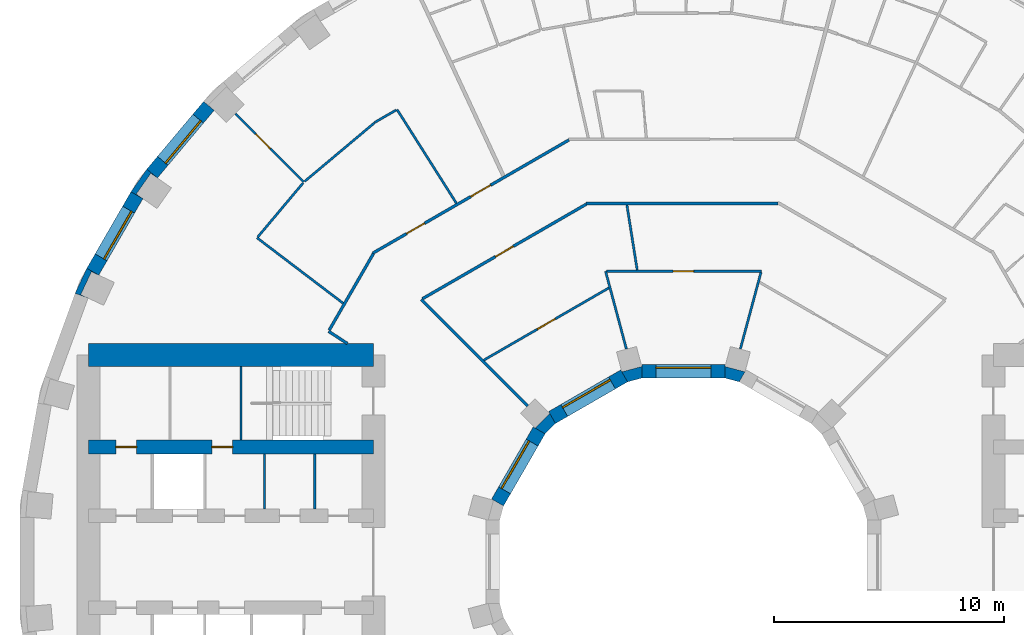
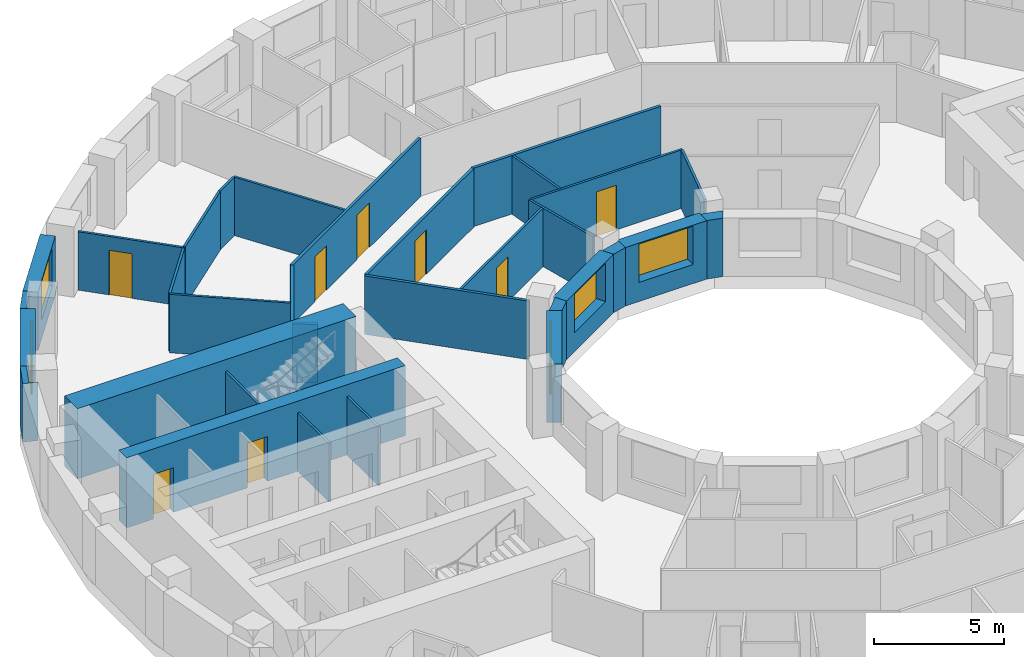
# One storey, part 10 of 15: 32 walls, 8 doors, 5 windows, 13 openings.
"""IFC4 building model written with IfcOpenShell, lengths in metres."""

import ifcopenshell
import ifcopenshell.guid

model = None  # the IFC model being written
_history = None  # IfcOwnerHistory: only IFC2X3 demands one
_inside = {}  # id of a spatial element -> (the spatial element, [elements in it])
_under = {}  # id of a project, library or spatial element -> (it, [spatial elements below it])
_declared = {}  # id of a project -> (the project, [libraries it declares])
_typed = {}  # id of a type object -> (the type object, [elements of that type])
_made_of = {}  # id of a material, layer set ... -> (it, [elements and type objects made of it])


def new_model(schema):
    """Start an empty IFC model of exactly this schema.

    Asked for "IFC4X3", IfcOpenShell would pick the latest addendum, in which some entities
    have other attributes; the version numbers below select the first issue.
    IFC2X3 requires an IfcOwnerHistory on every rooted entity: one is made here for all.
    """
    global model, _history
    if schema == "IFC4X3":
        model = ifcopenshell.file(schema_version=(4, 3, 0, 0))
    else:
        model = ifcopenshell.file(schema=schema)
    _inside.clear()
    _under.clear()
    _declared.clear()
    _typed.clear()
    _made_of.clear()
    _history = None
    if model.schema == "IFC2X3":
        org = make("IfcOrganization", Name="unknown")
        user = make(
            "IfcPersonAndOrganization",
            ThePerson=make("IfcPerson", FamilyName="unknown"),
            TheOrganization=org,
        )
        app = make(
            "IfcApplication",
            ApplicationDeveloper=org,
            Version="unknown",
            ApplicationFullName="unknown",
            ApplicationIdentifier="unknown",
        )
        _history = make(
            "IfcOwnerHistory",
            OwningUser=user,
            OwningApplication=app,
            ChangeAction="ADDED",
            CreationDate=0,
        )
    return model


def make(cls, **values):
    """One entity of the class cls with the attributes given. An attribute that is None is left unset."""
    return model.create_entity(
        cls, **{name: value for name, value in values.items() if value is not None}
    )


def rooted(cls, **values):
    """An entity with a GlobalId (a new one), such as an element, a storey or a relation."""
    return make(cls, GlobalId=ifcopenshell.guid.new(), OwnerHistory=_history, **values)


def si_unit(unit_type, name, prefix=None):
    """IfcSIUnit, for example si_unit("LENGTHUNIT", "METRE", prefix="MILLI")."""
    return make("IfcSIUnit", UnitType=unit_type, Prefix=prefix, Name=name)


def assignment(units):
    """IfcUnitAssignment: the units of a project."""
    return None if units is None else make("IfcUnitAssignment", Units=units)


def point(xyz):
    """IfcCartesianPoint."""
    return None if xyz is None else make("IfcCartesianPoint", Coordinates=xyz)


def direction(xyz):
    """IfcDirection."""
    return None if xyz is None else make("IfcDirection", DirectionRatios=xyz)


def frame(location, z_axis=None, x_axis=None):
    """IfcAxis2Placement3D, a coordinate frame: its origin and axes. An axis left out is left unset."""
    return make(
        "IfcAxis2Placement3D",
        Location=point(location),
        Axis=direction(z_axis),
        RefDirection=direction(x_axis),
    )


def frame_2d(location, x_axis=None):
    """IfcAxis2Placement2D, a coordinate frame in the plane: its origin and x axis."""
    return make(
        "IfcAxis2Placement2D", Location=point(location), RefDirection=direction(x_axis)
    )


def origin():
    """The frame at (0, 0, 0) with its axes left unset."""
    return frame((0.0, 0.0, 0.0))


def place(relative_to, where):
    """IfcLocalPlacement: puts the frame where relative to a parent placement (None: the world)."""
    return make(
        "IfcLocalPlacement", PlacementRelTo=relative_to, RelativePlacement=where
    )


def context(
    kind, dimensions, precision=None, world=None, true_north=None, identifier=None
):
    """IfcGeometricRepresentationContext, for example the 3D "Model" context."""
    return make(
        "IfcGeometricRepresentationContext",
        ContextIdentifier=identifier,
        ContextType=kind,
        CoordinateSpaceDimension=dimensions,
        Precision=precision,
        WorldCoordinateSystem=world,
        TrueNorth=true_north,
    )


def subcontext(parent, identifier, kind, view, scale=None):
    """IfcGeometricRepresentationSubContext, for example "Body" below "Model"."""
    return make(
        "IfcGeometricRepresentationSubContext",
        ContextIdentifier=identifier,
        ContextType=kind,
        ParentContext=parent,
        TargetScale=scale,
        TargetView=view,
    )


def project(units=None, contexts=None):
    """IfcProject with its units and contexts."""
    return rooted(
        "IfcProject",
        Name="project",
        RepresentationContexts=contexts,
        UnitsInContext=assignment(units),
    )


def spatial(cls, under=None, at=None, **own):
    """A site, building, storey or space (cls), placed at a placement, below another one or the project."""
    s = rooted(cls, ObjectPlacement=at, **own)
    if under is not None:
        _under.setdefault(under.id(), (under, []))[1].append(s)
    return s


def polyline(points):
    """IfcPolyline through the points."""
    return make("IfcPolyline", Points=[point(p) for p in points])


def profile(cls, at=None, kind="AREA", **sizes):
    """A parametric profile (cls). Its sizes go by their IFC names, for example OverallWidth=200.0."""
    return make(cls, ProfileType=kind, Position=at, **sizes)


def rectangle(**sizes):
    """IfcRectangleProfileDef."""
    return profile("IfcRectangleProfileDef", **sizes)


def outline(outer, holes=None, kind="AREA"):
    """IfcArbitraryClosedProfileDef: a profile drawn as a closed curve; with holes, ...WithVoids."""
    if holes is None:
        return make("IfcArbitraryClosedProfileDef", ProfileType=kind, OuterCurve=outer)
    return make(
        "IfcArbitraryProfileDefWithVoids",
        ProfileType=kind,
        OuterCurve=outer,
        InnerCurves=holes,
    )


def extrude(swept, where, along, depth):
    """IfcExtrudedAreaSolid: the profile swept, set in the frame where, extruded along a direction by depth."""
    return make(
        "IfcExtrudedAreaSolid",
        SweptArea=swept,
        Position=where,
        ExtrudedDirection=direction(along),
        Depth=depth,
    )


def shape(context_of_items, identifier, shape_type, items):
    """IfcShapeRepresentation: the items that make up one representation, for example the "Body"."""
    return make(
        "IfcShapeRepresentation",
        ContextOfItems=context_of_items,
        RepresentationIdentifier=identifier,
        RepresentationType=shape_type,
        Items=items,
    )


def material(Name=None, Category=None):
    """IfcMaterial."""
    return make("IfcMaterial", Name=Name, Category=Category)


def layer(
    of_material, thickness, ventilated=None, Name=None, Category=None, Priority=None
):
    """IfcMaterialLayer: one layer of a wall or slab, of a material (None: an air gap)."""
    return make(
        "IfcMaterialLayer",
        Material=of_material,
        LayerThickness=thickness,
        IsVentilated=ventilated,
        Name=Name,
        Category=Category,
        Priority=Priority,
    )


def layer_set(layers, Name=None):
    """IfcMaterialLayerSet."""
    return make("IfcMaterialLayerSet", MaterialLayers=layers, LayerSetName=Name)


def made_of(thing, what):
    """Note that an element or type object is made of a material, layer set ...; save() writes the relation."""
    if what is not None:
        _made_of.setdefault(what.id(), (what, []))[1].append(thing)
    return thing


def type_object(cls, material=None, **own):
    """A type object (cls), such as IfcWallType, which elements share."""
    return made_of(rooted(cls, **own), material)


def element(
    cls,
    number,
    at=None,
    inside=None,
    cuts=None,
    type_object=None,
    material=None,
    context=None,
    identifier="Body",
    shape_type=None,
    held_by="IfcProductDefinitionShape",
    body=None,
    shapes=None,
    **own,
):
    """One element of the class cls, such as IfcWall. Its Tag is "e" and its number.

    at: its placement. inside: the storey or other place that contains it. cuts: it is an
    opening in that element (IfcRelVoidsElement). A single representation is given by context,
    identifier, shape_type and body (its items); several are given by shapes. held_by: the class
    of the entity that holds the representations. save() writes the other relations.
    """
    e = rooted(cls, Tag="e%d" % number, ObjectPlacement=at, **own)
    if body is not None:
        shapes = [shape(context, identifier, shape_type, body)]
    if shapes is not None:
        e.Representation = make(held_by, Representations=shapes)
    if inside is not None:
        _inside.setdefault(inside.id(), (inside, []))[1].append(e)
    if cuts is not None:
        rooted(
            "IfcRelVoidsElement", RelatingBuildingElement=cuts, RelatedOpeningElement=e
        )
    if type_object is not None:
        _typed.setdefault(type_object.id(), (type_object, []))[1].append(e)
    return made_of(e, material)


def fill(opening, filler):
    """IfcRelFillsElement: the door or window that sits in an opening."""
    return rooted(
        "IfcRelFillsElement",
        RelatingOpeningElement=opening,
        RelatedBuildingElement=filler,
    )


def aggregate(whole, parts):
    """IfcRelAggregates: a whole, such as a stair, and the parts it consists of."""
    return rooted("IfcRelAggregates", RelatingObject=whole, RelatedObjects=parts)


def save(model, path):
    """Write the relations noted so far, then the file.

    IfcRelAggregates (storeys below a building ...), IfcRelContainedInSpatialStructure (elements
    in a storey), IfcRelDefinesByType, IfcRelAssociatesMaterial and IfcRelDeclares: one each for
    every whole, place, type object, material and project.
    """
    for whole, parts in _under.values():
        aggregate(whole, parts)
    for where, things in _inside.values():
        rooted(
            "IfcRelContainedInSpatialStructure",
            RelatedElements=things,
            RelatingStructure=where,
        )
    for kind, things in _typed.values():
        rooted("IfcRelDefinesByType", RelatedObjects=things, RelatingType=kind)
    for what, things in _made_of.values():
        rooted("IfcRelAssociatesMaterial", RelatedObjects=things, RelatingMaterial=what)
    for by, libraries in _declared.values():
        rooted("IfcRelDeclares", RelatingContext=by, RelatedDefinitions=libraries)
    model.write(path)


model = new_model("IFC4")

# Units and contexts
model_context = context("Model", 3, precision=1e-05, world=origin(), true_north=direction((0.0, 1.0)))
body_context = subcontext(model_context, "Body", "Model", "MODEL_VIEW")
ifc_project = project(units=[si_unit("LENGTHUNIT", "METRE"), si_unit("AREAUNIT", "SQUARE_METRE"), si_unit("VOLUMEUNIT", "CUBIC_METRE"), si_unit("PLANEANGLEUNIT", "RADIAN"), si_unit("MASSUNIT", "GRAM", prefix="KILO")], contexts=[model_context])

# Site, building, storey
site_placement = place(None, origin())
site = spatial("IfcSite", under=ifc_project, at=site_placement, CompositionType="ELEMENT")
building_placement = place(site_placement, origin())
building = spatial("IfcBuilding", under=site, at=building_placement, Name="Saqina Gate Tower", CompositionType="ELEMENT")
storey_placement = place(building_placement, frame((0.0, 0.0, 36.199951171875)))
storey = spatial("IfcBuildingStorey", under=building, at=storey_placement, Name="L09", CompositionType="ELEMENT", Elevation=36.199951171875)

# Walls
ifc_material_1 = material(Name="Brick masonry (red)", Category="masonry")
wall_type_1 = type_object("IfcWallType", Name="BRICK PIER COPING RED", PredefinedType="SOLIDWALL", material=ifc_material_1)
wall_1_placement = place(storey_placement, origin())
element("IfcWall", 1, at=wall_1_placement, inside=storey, type_object=wall_type_1, Name="Pier cap L09 column 15", PredefinedType="SOLIDWALL", context=body_context, shape_type="SweptSolid", body=[
    extrude(outline(polyline([(-23.36669921875, 17.096923828125), (-24.0576171875, 16.110107421875), (-23.5380859375, 15.81005859375), (-23.8251953125, 16.010986328125), (-23.194091796875, 16.912109375), (-22.9072265625, 16.711181640625), (-23.36669921875, 17.096923828125)])), origin(), (0.0, 0.0, 1.0), 2.75),
])
wall_2_placement = place(storey_placement, origin())
element("IfcWall", 2, at=wall_2_placement, inside=storey, type_object=wall_type_1, Name="Pier cap L09 column 16", PredefinedType="SOLIDWALL", context=body_context, shape_type="SweptSolid", body=[
    extrude(outline(polyline([(-26.48974609375, 11.687744140625), (-25.92578125, 11.482666015625), (-26.243408203125, 11.630615234375), (-25.778564453125, 12.627685546875), (-25.4609375, 12.4794921875), (-25.980712890625, 12.779541015625), (-26.48974609375, 11.687744140625)])), origin(), (0.0, 0.0, 1.0), 2.75),
])
ifc_material_2 = material(Name="Gypsum board on steel studs", Category="steel")
ifc_layer_1 = layer(ifc_material_2, 0.10009765625)
ifc_layer_set_1 = layer_set([ifc_layer_1], Name="CORE PARTITION")
wall_type_2 = type_object("IfcWallType", Name="CORE PARTITION", PredefinedType="PARTITIONING", material=ifc_layer_set_1)
for number, where, z_axis, x_axis, name in (
    (3, (-16.052001953125, 2.300048828125, 0.0), (0.0, 0.0, 1.0), (0.0, 1.0, 0.0), "L09-CP-W01"),
    (4, (-18.24072265625, 2.300048828125, 0.0), (0.0, 0.0, 1.0), (0.0, 1.0, 0.0), "L09-CP-W02"),
):
    element("IfcWall", number, at=place(storey_placement, frame(where, z_axis=z_axis, x_axis=x_axis)), inside=storey, type_object=wall_type_2, Name=name, PredefinedType="PARTITIONING", context=body_context, shape_type="SweptSolid", body=[
        extrude(rectangle(XDim=2.39990234375, YDim=0.10009765625, at=frame_2d((1.199951171875, 0.0))), origin(), (0.0, 0.0, 1.0), 2.75),
    ])

# Wall, opening, window
ifc_material_3 = material(Name="Brick masonry (red)", Category="masonry")
ifc_layer_2 = layer(ifc_material_3, 0.60009765625)
ifc_layer_set_2 = layer_set([ifc_layer_2], Name="FW-BRICK-RED")
wall_type_3 = type_object("IfcWallType", Name="FW-BRICK-RED", PredefinedType="SOLIDWALL", material=ifc_layer_set_2)
wall_3_placement = place(storey_placement, frame((-20.664794921875, 19.85009765625, 0.0), z_axis=(0.0, 0.0, 1.0), x_axis=(-0.642809392687, -0.766026164483, 0.0)))
wall_3 = element("IfcWall", 5, at=wall_3_placement, inside=storey, type_object=wall_type_3, Name="Facade wall L09 facet 14", PredefinedType="SOLIDWALL", context=body_context, shape_type="SweptSolid", body=[
    extrude(rectangle(XDim=3.845947265625, YDim=0.60009765625, at=frame_2d((1.9228515625, 0.0))), origin(), (0.0, 0.0, 1.0), 2.75),
])
opening_1_placement = place(wall_3_placement, frame((0.722900390625, 0.0, 0.89990234375)))
opening_1 = element("IfcOpeningElement", 6, at=opening_1_placement, cuts=wall_3, Name="Opening G02-W12", PredefinedType="OPENING", context=body_context, shape_type="SweptSolid", body=[
    extrude(rectangle(XDim=2.39990234375, YDim=1.800048828125, at=frame_2d((1.199951171875, 0.89990234375))), frame((0.0, 0.31201171875, 0.0), z_axis=(0.0, -1.0, 0.0), x_axis=(1.0, 0.0, 0.0)), (0.0, 0.0, 1.0), 0.6240234375),
])
ifc_material_4 = material(Name="Aluminium glazing", Category="aluminium")
window_type_1 = type_object("IfcWindowType", Name="WN-A", PartitioningType="SINGLE_PANEL", PredefinedType="WINDOW", material=ifc_material_4)
window_1_placement = place(opening_1_placement, origin())
window_1 = element("IfcWindow", 7, at=window_1_placement, inside=storey, type_object=window_type_1, Name="Window L09 facet 14", OverallHeight=1.800048828125, OverallWidth=2.39990234375, PartitioningType="SINGLE_PANEL", PredefinedType="WINDOW", context=body_context, shape_type="SweptSolid", body=[
    extrude(rectangle(XDim=2.39990234375, YDim=1.800048828125, at=frame_2d((1.199951171875, 0.89990234375))), frame((0.0, 0.179931640625, 0.0), z_axis=(0.0, -1.0, 0.0), x_axis=(1.0, 0.0, 0.0)), (0.0, 0.0, 1.0), 0.06005859375),
])
fill(opening_1, window_1)

wall_4_placement = place(storey_placement, frame((-23.7978515625, 15.960205078125, 0.0), z_axis=(0.0, 0.0, 1.0), x_axis=(-0.499989888488, -0.86603124159, 0.0)))
wall_4 = element("IfcWall", 8, at=wall_4_placement, inside=storey, type_object=wall_type_3, Name="Facade wall L09 facet 15", PredefinedType="SOLIDWALL", context=body_context, shape_type="SweptSolid", body=[
    extrude(rectangle(XDim=3.845703125, YDim=0.60009765625, at=frame_2d((1.9228515625, 0.0))), origin(), (0.0, 0.0, 1.0), 2.75),
])
opening_2_placement = place(wall_4_placement, frame((0.722900390625, 0.0, 0.89990234375)))
opening_2 = element("IfcOpeningElement", 9, at=opening_2_placement, cuts=wall_4, Name="Opening G02-W13", PredefinedType="OPENING", context=body_context, shape_type="SweptSolid", body=[
    extrude(rectangle(XDim=2.39990234375, YDim=1.800048828125, at=frame_2d((1.199951171875, 0.89990234375))), frame((0.0, 0.31201171875, 0.0), z_axis=(0.0, -1.0, 0.0), x_axis=(1.0, 0.0, 0.0)), (0.0, 0.0, 1.0), 0.6240234375),
])
window_2_placement = place(opening_2_placement, origin())
window_2 = element("IfcWindow", 10, at=window_2_placement, inside=storey, type_object=window_type_1, Name="Window L09 facet 15", OverallHeight=1.800048828125, OverallWidth=2.39990234375, PartitioningType="SINGLE_PANEL", PredefinedType="WINDOW", context=body_context, shape_type="SweptSolid", body=[
    extrude(rectangle(XDim=2.39990234375, YDim=1.800048828125, at=frame_2d((1.199951171875, 0.89990234375))), frame((0.0, 0.179931640625, 0.0), z_axis=(0.0, -1.0, 0.0), x_axis=(1.0, 0.0, 0.0)), (0.0, 0.0, 1.0), 0.06005859375),
])
fill(opening_2, window_2)

ifc_material_5 = material(Name="Glazed ceramic tile", Category="ceramic")
ifc_layer_3 = layer(ifc_material_5, 0.60009765625)
ifc_layer_set_3 = layer_set([ifc_layer_3], Name="IW-TILE")
wall_type_4 = type_object("IfcWallType", Name="IW-TILE", PredefinedType="SOLIDWALL", material=ifc_layer_set_3)
wall_5_placement = place(storey_placement, frame((1.8125, 8.300048828125, 0.0), z_axis=(0.0, 0.0, 1.0), x_axis=(-1.0, 0.0, 0.0)))
wall_5 = element("IfcWall", 11, at=wall_5_placement, inside=storey, type_object=wall_type_4, Name="Well wall L09 facet 3", PredefinedType="SOLIDWALL", context=body_context, shape_type="SweptSolid", body=[
    extrude(rectangle(XDim=3.625, YDim=0.60009765625, at=frame_2d((1.8125, 0.0))), origin(), (0.0, 0.0, 1.0), 2.75),
])
opening_3_placement = place(wall_5_placement, frame((0.612548828125, 0.0, 0.89990234375)))
opening_3 = element("IfcOpeningElement", 12, at=opening_3_placement, cuts=wall_5, Name="Opening G02-W25", PredefinedType="OPENING", context=body_context, shape_type="SweptSolid", body=[
    extrude(rectangle(XDim=2.39990234375, YDim=1.800048828125, at=frame_2d((1.199951171875, 0.89990234375))), frame((0.0, 0.31201171875, 0.0), z_axis=(0.0, -1.0, 0.0), x_axis=(1.0, 0.0, 0.0)), (0.0, 0.0, 1.0), 0.6240234375),
])
ifc_material_6 = material(Name="Aluminium glazing", Category="aluminium")
window_type_2 = type_object("IfcWindowType", Name="WN-W", PartitioningType="SINGLE_PANEL", PredefinedType="WINDOW", material=ifc_material_6)
window_3_placement = place(opening_3_placement, origin())
window_3 = element("IfcWindow", 13, at=window_3_placement, inside=storey, type_object=window_type_2, Name="Well window L09 facet 3", OverallHeight=1.800048828125, OverallWidth=2.39990234375, PartitioningType="SINGLE_PANEL", PredefinedType="WINDOW", context=body_context, shape_type="SweptSolid", body=[
    extrude(rectangle(XDim=2.39990234375, YDim=1.800048828125, at=frame_2d((1.199951171875, 0.89990234375))), frame((0.0, -0.119873046875, 0.0), z_axis=(0.0, -1.0, 0.0), x_axis=(1.0, 0.0, 0.0)), (0.0, 0.0, 1.0), 0.06005859375),
])
fill(opening_3, window_3)

wall_6_placement = place(storey_placement, frame((-2.580322265625, 8.09423828125, 0.0), z_axis=(0.0, 0.0, 1.0), x_axis=(-0.866029693906, -0.499992569217, 0.0)))
wall_6 = element("IfcWall", 14, at=wall_6_placement, inside=storey, type_object=wall_type_4, Name="Well wall L09 facet 4", PredefinedType="SOLIDWALL", context=body_context, shape_type="SweptSolid", body=[
    extrude(rectangle(XDim=3.625, YDim=0.60009765625, at=frame_2d((1.8125, 0.0))), origin(), (0.0, 0.0, 1.0), 2.75),
])
opening_4_placement = place(wall_6_placement, frame((0.612548828125, 0.0, 0.89990234375)))
opening_4 = element("IfcOpeningElement", 15, at=opening_4_placement, cuts=wall_6, Name="Opening G02-W26", PredefinedType="OPENING", context=body_context, shape_type="SweptSolid", body=[
    extrude(rectangle(XDim=2.39990234375, YDim=1.800048828125, at=frame_2d((1.199951171875, 0.89990234375))), frame((0.0, 0.31201171875, 0.0), z_axis=(0.0, -1.0, 0.0), x_axis=(1.0, 0.0, 0.0)), (0.0, 0.0, 1.0), 0.6240234375),
])
window_4_placement = place(opening_4_placement, origin())
window_4 = element("IfcWindow", 16, at=window_4_placement, inside=storey, type_object=window_type_2, Name="Well window L09 facet 4", OverallHeight=1.800048828125, OverallWidth=2.39990234375, PartitioningType="SINGLE_PANEL", PredefinedType="WINDOW", context=body_context, shape_type="SweptSolid", body=[
    extrude(rectangle(XDim=2.39990234375, YDim=1.800048828125, at=frame_2d((1.199951171875, 0.89990234375))), frame((0.0, -0.119873046875, 0.0), z_axis=(0.0, -1.0, 0.0), x_axis=(1.0, 0.0, 0.0)), (0.0, 0.0, 1.0), 0.06005859375),
])
fill(opening_4, window_4)

wall_7_placement = place(storey_placement, frame((-6.28173828125, 5.7197265625, 0.0), z_axis=(0.0, 0.0, 1.0), x_axis=(-0.499992569217, -0.866029693906, 0.0)))
wall_7 = element("IfcWall", 17, at=wall_7_placement, inside=storey, type_object=wall_type_4, Name="Well wall L09 facet 5", PredefinedType="SOLIDWALL", context=body_context, shape_type="SweptSolid", body=[
    extrude(rectangle(XDim=3.625, YDim=0.60009765625, at=frame_2d((1.8125, 0.0))), origin(), (0.0, 0.0, 1.0), 2.75),
])
opening_5_placement = place(wall_7_placement, frame((0.612548828125, 0.0, 0.89990234375)))
opening_5 = element("IfcOpeningElement", 18, at=opening_5_placement, cuts=wall_7, Name="Opening G02-W27", PredefinedType="OPENING", context=body_context, shape_type="SweptSolid", body=[
    extrude(rectangle(XDim=2.39990234375, YDim=1.800048828125, at=frame_2d((1.199951171875, 0.89990234375))), frame((0.0, 0.31201171875, 0.0), z_axis=(0.0, -1.0, 0.0), x_axis=(1.0, 0.0, 0.0)), (0.0, 0.0, 1.0), 0.6240234375),
])
window_5_placement = place(opening_5_placement, origin())
window_5 = element("IfcWindow", 19, at=window_5_placement, inside=storey, type_object=window_type_2, Name="Well window L09 facet 5", OverallHeight=1.800048828125, OverallWidth=2.39990234375, PartitioningType="SINGLE_PANEL", PredefinedType="WINDOW", context=body_context, shape_type="SweptSolid", body=[
    extrude(rectangle(XDim=2.39990234375, YDim=1.800048828125, at=frame_2d((1.199951171875, 0.89990234375))), frame((0.0, -0.119873046875, 0.0), z_axis=(0.0, -1.0, 0.0), x_axis=(1.0, 0.0, 0.0)), (0.0, 0.0, 1.0), 0.06005859375),
])
fill(opening_5, window_5)

# Walls
ifc_material_7 = material(Name="Gypsum board on steel studs, 100 mm", Category="steel")
ifc_layer_4 = layer(ifc_material_7, 0.10009765625)
ifc_layer_set_4 = layer_set([ifc_layer_4], Name="PARTITION 100")
wall_type_5 = type_object("IfcWallType", Name="PARTITION 100", PredefinedType="PARTITIONING", material=ifc_layer_set_4)
wall_8_placement = place(storey_placement, frame((-2.461181640625, 15.538330078125, 0.0), z_axis=(0.0, 0.0, 1.0), x_axis=(0.156376935557, -0.987697450653, 0.0)))
element("IfcWall", 20, at=wall_8_placement, inside=storey, type_object=wall_type_5, Name="PARTITION PW3-07", PredefinedType="PARTITIONING", context=body_context, shape_type="SweptSolid", body=[
    extrude(rectangle(XDim=2.874267578125, YDim=0.10009765625, at=frame_2d((1.43701171875, 0.0))), origin(), (0.0, 0.0, 1.0), 2.75),
])
wall_9_placement = place(storey_placement, frame((-3.389892578125, 12.64990234375, 0.0), z_axis=(0.0, 0.0, 1.0), x_axis=(0.258846371061, -0.965918503906, 0.0)))
element("IfcWall", 21, at=wall_9_placement, inside=storey, type_object=wall_type_5, Name="PARTITION PW3-15", PredefinedType="PARTITIONING", context=body_context, shape_type="SweptSolid", body=[
    extrude(rectangle(XDim=3.50390625, YDim=0.10009765625, at=frame_2d((1.751953125, 0.0))), origin(), (0.0, 0.0, 1.0), 2.75),
])
wall_10_placement = place(storey_placement, frame((-12.469970703125, 19.693115234375, 0.0), z_axis=(0.0, 0.0, 1.0), x_axis=(0.535000379435, -0.844851817779, 0.0)))
element("IfcWall", 22, at=wall_10_placement, inside=storey, type_object=wall_type_5, Name="PARTITION PW3-29", PredefinedType="PARTITIONING", context=body_context, shape_type="SweptSolid", body=[
    extrude(rectangle(XDim=4.830810546875, YDim=0.10009765625, at=frame_2d((2.41552734375, 0.0))), origin(), (0.0, 0.0, 1.0), 2.75),
])

# Wall, opening, door
wall_11_placement = place(storey_placement, frame((-19.509033203125, 19.509033203125, 0.0), z_axis=(0.0, 0.0, 1.0), x_axis=(0.707106781187, -0.707106781187, 0.0)))
wall_11 = element("IfcWall", 23, at=wall_11_placement, inside=storey, type_object=wall_type_5, Name="PARTITION PW3-35", PredefinedType="PARTITIONING", context=body_context, shape_type="SweptSolid", body=[
    extrude(rectangle(XDim=4.211669921875, YDim=0.10009765625, at=frame_2d((2.10595703125, 0.0))), origin(), (0.0, 0.0, 1.0), 2.75),
])
opening_6_placement = place(wall_11_placement, frame((1.252197265625, 0.0, 0.0)))
opening_6 = element("IfcOpeningElement", 24, at=opening_6_placement, cuts=wall_11, Name="Opening G02-D31", PredefinedType="OPENING", context=body_context, shape_type="SweptSolid", body=[
    extrude(rectangle(XDim=0.89990234375, YDim=2.10009765625, at=frame_2d((0.449951171875, 1.050048828125))), frame((0.0, 0.06201171875, 0.0), z_axis=(0.0, -1.0, 0.0), x_axis=(1.0, 0.0, 0.0)), (0.0, 0.0, 1.0), 0.1240234375),
])
ifc_material_8 = material(Name="Timber door leaf, 900 mm", Category="wood")
door_type_1 = type_object("IfcDoorType", Name="DOOR 900 TIMBER", OperationType="SINGLE_SWING_LEFT", PredefinedType="DOOR", material=ifc_material_8)
door_1_placement = place(opening_6_placement, frame((0.89990234375, 0.0, 0.0), z_axis=(0.0, 0.0, 1.0), x_axis=(-1.0, 0.0, 0.0)))
door_1 = element("IfcDoor", 25, at=door_1_placement, inside=storey, type_object=door_type_1, Name="DOOR G02-D31", OperationType="SINGLE_SWING_RIGHT", OverallHeight=2.10009765625, OverallWidth=0.89990234375, PredefinedType="DOOR", context=body_context, shape_type="SweptSolid", body=[
    extrude(rectangle(XDim=0.89990234375, YDim=2.10009765625, at=frame_2d((0.449951171875, 1.050048828125))), frame((0.0, 0.02490234375, 0.0), z_axis=(0.0, -1.0, 0.0), x_axis=(1.0, 0.0, 0.0)), (0.0, 0.0, 1.0), 0.050048828125),
])
fill(opening_6, door_1)

# Wall
wall_12_placement = place(storey_placement, frame((-18.56689453125, 14.10498046875, 0.0), z_axis=(0.0, 0.0, 1.0), x_axis=(0.796206168274, -0.605025402444, 0.0)))
element("IfcWall", 26, at=wall_12_placement, inside=storey, type_object=wall_type_5, Name="PARTITION PW3-38", PredefinedType="PARTITIONING", context=body_context, shape_type="SweptSolid", body=[
    extrude(rectangle(XDim=4.70703125, YDim=0.10009765625, at=frame_2d((2.353515625, 0.0))), origin(), (0.0, 0.0, 1.0), 2.75),
])

# Wall, opening, door
wall_13_placement = place(storey_placement, frame((-3.340087890625, 12.64990234375, 0.0), z_axis=(0.0, 0.0, 1.0), x_axis=(1.0, 0.0, 0.0)))
wall_13 = element("IfcWall", 27, at=wall_13_placement, inside=storey, type_object=wall_type_5, Name="PARTITION PW3-61", PredefinedType="PARTITIONING", context=body_context, shape_type="SweptSolid", body=[
    extrude(rectangle(XDim=6.72998046875, YDim=0.10009765625, at=frame_2d((3.364990234375, 0.0))), origin(), (0.0, 0.0, 1.0), 2.75),
])
opening_7_placement = place(wall_13_placement, frame((2.889892578125, 0.0, 0.0)))
opening_7 = element("IfcOpeningElement", 28, at=opening_7_placement, cuts=wall_13, Name="Opening G02-D19", PredefinedType="OPENING", context=body_context, shape_type="SweptSolid", body=[
    extrude(rectangle(XDim=0.89990234375, YDim=2.10009765625, at=frame_2d((0.449951171875, 1.050048828125))), frame((0.0, 0.06201171875, 0.0), z_axis=(0.0, -1.0, 0.0), x_axis=(1.0, 0.0, 0.0)), (0.0, 0.0, 1.0), 0.1240234375),
])
door_2_placement = place(opening_7_placement, origin())
door_2 = element("IfcDoor", 29, at=door_2_placement, inside=storey, type_object=door_type_1, Name="DOOR G02-D19", OperationType="SINGLE_SWING_LEFT", OverallHeight=2.10009765625, OverallWidth=0.89990234375, PredefinedType="DOOR", context=body_context, shape_type="SweptSolid", body=[
    extrude(rectangle(XDim=0.89990234375, YDim=2.10009765625, at=frame_2d((0.449951171875, 1.050048828125))), frame((0.0, 0.02490234375, 0.0), z_axis=(0.0, -1.0, 0.0), x_axis=(1.0, 0.0, 0.0)), (0.0, 0.0, 1.0), 0.050048828125),
])
fill(opening_7, door_2)

wall_14_placement = place(storey_placement, frame((-8.69384765625, 8.779296875, 0.0), z_axis=(0.0, 0.0, 1.0), x_axis=(0.86602790099, 0.499995674689, 0.0)))
wall_14 = element("IfcWall", 30, at=wall_14_placement, inside=storey, type_object=wall_type_5, Name="PARTITION PW3-80", PredefinedType="PARTITIONING", context=body_context, shape_type="SweptSolid", body=[
    extrude(rectangle(XDim=6.291015625, YDim=0.10009765625, at=frame_2d((3.1455078125, 0.0))), origin(), (0.0, 0.0, 1.0), 2.75),
])
opening_8_placement = place(wall_14_placement, frame((2.689453125, 0.0, 0.0)))
opening_8 = element("IfcOpeningElement", 31, at=opening_8_placement, cuts=wall_14, Name="Opening G02-D28", PredefinedType="OPENING", context=body_context, shape_type="SweptSolid", body=[
    extrude(rectangle(XDim=0.89990234375, YDim=2.10009765625, at=frame_2d((0.449951171875, 1.050048828125))), frame((0.0, 0.06201171875, 0.0), z_axis=(0.0, -1.0, 0.0), x_axis=(1.0, 0.0, 0.0)), (0.0, 0.0, 1.0), 0.1240234375),
])
door_3_placement = place(opening_8_placement, origin())
door_3 = element("IfcDoor", 32, at=door_3_placement, inside=storey, type_object=door_type_1, Name="DOOR G02-D28", OperationType="SINGLE_SWING_LEFT", OverallHeight=2.10009765625, OverallWidth=0.89990234375, PredefinedType="DOOR", context=body_context, shape_type="SweptSolid", body=[
    extrude(rectangle(XDim=0.89990234375, YDim=2.10009765625, at=frame_2d((0.449951171875, 1.050048828125))), frame((0.0, 0.02490234375, 0.0), z_axis=(0.0, -1.0, 0.0), x_axis=(1.0, 0.0, 0.0)), (0.0, 0.0, 1.0), 0.050048828125),
])
fill(opening_8, door_3)

# Walls
wall_15_placement = place(storey_placement, frame((-13.452880859375, 19.125732421875, 0.0), z_axis=(0.0, 0.0, 1.0), x_axis=(0.866144373206, 0.499793882279, 0.0)))
element("IfcWall", 33, at=wall_15_placement, inside=storey, type_object=wall_type_5, Name="PARTITION PW3-81", PredefinedType="PARTITIONING", context=body_context, shape_type="SweptSolid", body=[
    extrude(rectangle(XDim=1.0849609375, YDim=0.10009765625, at=frame_2d((0.54248046875, 0.0))), origin(), (0.0, 0.0, 1.0), 2.75),
])
wall_16_placement = place(storey_placement, frame((-16.49267578125, 16.563232421875, 0.0), z_axis=(0.0, 0.0, 1.0), x_axis=(0.766012051309, 0.642826210767, 0.0)))
element("IfcWall", 34, at=wall_16_placement, inside=storey, type_object=wall_type_5, Name="PARTITION PW3-85", PredefinedType="PARTITIONING", context=body_context, shape_type="SweptSolid", body=[
    extrude(rectangle(XDim=3.9755859375, YDim=0.10009765625, at=frame_2d((1.98779296875, 0.0))), origin(), (0.0, 0.0, 1.0), 2.75),
])
wall_17_placement = place(storey_placement, frame((-18.533447265625, 14.14501953125, 0.0), z_axis=(0.0, 0.0, 1.0), x_axis=(0.642844541506, 0.765996668045, 0.0)))
element("IfcWall", 35, at=wall_17_placement, inside=storey, type_object=wall_type_5, Name="PARTITION PW3-93", PredefinedType="PARTITIONING", context=body_context, shape_type="SweptSolid", body=[
    extrude(rectangle(XDim=3.06494140625, YDim=0.10009765625, at=frame_2d((1.532470703125, 0.0))), origin(), (0.0, 0.0, 1.0), 2.75),
])
wall_18_placement = place(storey_placement, frame((2.47998046875, 9.26611328125, 0.0), z_axis=(0.0, 0.0, 1.0), x_axis=(0.259676899278, 0.965695556571, 0.0)))
element("IfcWall", 36, at=wall_18_placement, inside=storey, type_object=wall_type_5, Name="PARTITION PW3-107", PredefinedType="PARTITIONING", context=body_context, shape_type="SweptSolid", body=[
    extrude(rectangle(XDim=3.4541015625, YDim=0.10009765625, at=frame_2d((1.72705078125, 0.0))), origin(), (0.0, 0.0, 1.0), 2.75),
])
ifc_material_9 = material(Name="Gypsum board on steel studs, 125 mm, fire rated", Category="steel")
ifc_layer_5 = layer(ifc_material_9, 0.125)
ifc_layer_set_5 = layer_set([ifc_layer_5], Name="PARTITION EI 30 125")
wall_type_6 = type_object("IfcWallType", Name="PARTITION EI 30 125", PredefinedType="PARTITIONING", material=ifc_layer_set_5)
wall_19_placement = place(storey_placement, frame((-11.419921875, 11.419921875, 0.0), z_axis=(0.0, 0.0, 1.0), x_axis=(0.707106781187, -0.707106781187, 0.0)))
element("IfcWall", 37, at=wall_19_placement, inside=storey, type_object=wall_type_6, Name="PARTITION PW1-09", PredefinedType="PARTITIONING", context=body_context, shape_type="SweptSolid", body=[
    extrude(rectangle(XDim=6.55810546875, YDim=0.125, at=frame_2d((3.279052734375, 0.0))), origin(), (0.0, 0.0, 1.0), 2.75),
])
wall_20_placement = place(storey_placement, frame((-15.452880859375, 10.034912109375, 0.0), z_axis=(0.0, 0.0, 1.0), x_axis=(0.838755766808, -0.544507817801, 0.0)))
element("IfcWall", 38, at=wall_20_placement, inside=storey, type_object=wall_type_6, Name="PARTITION PW1-13", PredefinedType="PARTITIONING", context=body_context, shape_type="SweptSolid", body=[
    extrude(rectangle(XDim=0.982421875, YDim=0.125, at=frame_2d((0.4912109375, 0.0))), origin(), (0.0, 0.0, 1.0), 2.75),
])
wall_21_placement = place(storey_placement, frame((-4.252197265625, 15.60009765625, 0.0), z_axis=(0.0, 0.0, 1.0), x_axis=(1.0, 0.0, 0.0)))
element("IfcWall", 39, at=wall_21_placement, inside=storey, type_object=wall_type_6, Name="PARTITION PW1-29", PredefinedType="PARTITIONING", context=body_context, shape_type="SweptSolid", body=[
    extrude(rectangle(XDim=8.36962890625, YDim=0.125, at=frame_2d((4.184814453125, 0.0))), origin(), (0.0, 0.0, 1.0), 2.75),
])

# Wall, opening, door
wall_22_placement = place(storey_placement, frame((-11.365966796875, 11.451171875, 0.0), z_axis=(0.0, 0.0, 1.0), x_axis=(0.866019704869, 0.500009870681, 0.0)))
wall_22 = element("IfcWall", 40, at=wall_22_placement, inside=storey, type_object=wall_type_6, Name="PARTITION PW1-42", PredefinedType="PARTITIONING", context=body_context, shape_type="SweptSolid", body=[
    extrude(rectangle(XDim=8.235107421875, YDim=0.125, at=frame_2d((4.11767578125, 0.0))), origin(), (0.0, 0.0, 1.0), 2.75),
])
opening_9_placement = place(wall_22_placement, frame((3.66748046875, 0.0, 0.0)))
opening_9 = element("IfcOpeningElement", 41, at=opening_9_placement, cuts=wall_22, Name="Opening G02-D29", PredefinedType="OPENING", context=body_context, shape_type="SweptSolid", body=[
    extrude(rectangle(XDim=0.89990234375, YDim=2.10009765625, at=frame_2d((0.449951171875, 1.050048828125))), frame((0.0, 0.074462890625, 0.0), z_axis=(0.0, -1.0, 0.0), x_axis=(1.0, 0.0, 0.0)), (0.0, 0.0, 1.0), 0.14892578125),
])
ifc_material_10 = material(Name="Fire door leaf EI 30, 900 mm")
door_type_2 = type_object("IfcDoorType", Name="DOOR 900 EI 30", OperationType="SINGLE_SWING_LEFT", PredefinedType="DOOR", material=ifc_material_10)
door_4_placement = place(opening_9_placement, frame((0.89990234375, 0.0, 0.0), z_axis=(0.0, 0.0, 1.0), x_axis=(-1.0, 0.0, 0.0)))
door_4 = element("IfcDoor", 42, at=door_4_placement, inside=storey, type_object=door_type_2, Name="DOOR G02-D29", OperationType="SINGLE_SWING_RIGHT", OverallHeight=2.10009765625, OverallWidth=0.89990234375, PredefinedType="DOOR", context=body_context, shape_type="SweptSolid", body=[
    extrude(rectangle(XDim=0.89990234375, YDim=2.10009765625, at=frame_2d((0.449951171875, 1.050048828125))), frame((0.0, 0.02490234375, 0.0), z_axis=(0.0, -1.0, 0.0), x_axis=(1.0, 0.0, 0.0)), (0.0, 0.0, 1.0), 0.050048828125),
])
fill(opening_9, door_4)

# Wall, openings, doors
wall_23_placement = place(storey_placement, frame((-13.532470703125, 13.433837890625, 0.0), z_axis=(0.0, 0.0, 1.0), x_axis=(0.86605048973, 0.49995654735, 0.0)))
wall_23 = element("IfcWall", 43, at=wall_23_placement, inside=storey, type_object=wall_type_6, Name="PARTITION PW1-43", PredefinedType="PARTITIONING", context=body_context, shape_type="SweptSolid", body=[
    extrude(rectangle(XDim=9.87060546875, YDim=0.125, at=frame_2d((4.935302734375, 0.0))), origin(), (0.0, 0.0, 1.0), 2.75),
])
opening_10_placement = place(wall_23_placement, frame((4.93115234375, 0.0, 0.0)))
opening_10 = element("IfcOpeningElement", 44, at=opening_10_placement, cuts=wall_23, Name="Opening G02-D27", PredefinedType="OPENING", context=body_context, shape_type="SweptSolid", body=[
    extrude(rectangle(XDim=1.0, YDim=2.10009765625, at=frame_2d((0.5, 1.050048828125))), frame((0.0, 0.074462890625, 0.0), z_axis=(0.0, -1.0, 0.0), x_axis=(1.0, 0.0, 0.0)), (0.0, 0.0, 1.0), 0.14892578125),
])
opening_11_placement = place(wall_23_placement, frame((1.711181640625, 0.0, 0.0)))
opening_11 = element("IfcOpeningElement", 45, at=opening_11_placement, cuts=wall_23, Name="Opening G02-D30", PredefinedType="OPENING", context=body_context, shape_type="SweptSolid", body=[
    extrude(rectangle(XDim=0.89990234375, YDim=2.10009765625, at=frame_2d((0.449951171875, 1.050048828125))), frame((0.0, 0.074462890625, 0.0), z_axis=(0.0, -1.0, 0.0), x_axis=(1.0, 0.0, 0.0)), (0.0, 0.0, 1.0), 0.14892578125),
])
ifc_material_11 = material(Name="Fire door leaf EI 30, 1000 mm")
door_type_3 = type_object("IfcDoorType", Name="DOOR 1000 EI 30", OperationType="SINGLE_SWING_LEFT", PredefinedType="DOOR", material=ifc_material_11)
door_5_placement = place(opening_10_placement, origin())
door_5 = element("IfcDoor", 46, at=door_5_placement, inside=storey, type_object=door_type_3, Name="DOOR G02-D27", OperationType="SINGLE_SWING_RIGHT", OverallHeight=2.10009765625, OverallWidth=1.0, PredefinedType="DOOR", context=body_context, shape_type="SweptSolid", body=[
    extrude(rectangle(XDim=1.0, YDim=2.10009765625, at=frame_2d((0.5, 1.050048828125))), frame((0.0, 0.02490234375, 0.0), z_axis=(0.0, -1.0, 0.0), x_axis=(1.0, 0.0, 0.0)), (0.0, 0.0, 1.0), 0.050048828125),
])
fill(opening_10, door_5)
door_6_placement = place(opening_11_placement, origin())
door_6 = element("IfcDoor", 47, at=door_6_placement, inside=storey, type_object=door_type_2, Name="DOOR G02-D30", OperationType="SINGLE_SWING_LEFT", OverallHeight=2.10009765625, OverallWidth=0.89990234375, PredefinedType="DOOR", context=body_context, shape_type="SweptSolid", body=[
    extrude(rectangle(XDim=0.89990234375, YDim=2.10009765625, at=frame_2d((0.449951171875, 1.050048828125))), frame((0.0, 0.02490234375, 0.0), z_axis=(0.0, -1.0, 0.0), x_axis=(1.0, 0.0, 0.0)), (0.0, 0.0, 1.0), 0.050048828125),
])
fill(opening_11, door_6)

# Walls
wall_24_placement = place(storey_placement, frame((-15.421630859375, 10.089111328125, 0.0), z_axis=(0.0, 0.0, 1.0), x_axis=(0.499953532967, 0.866052229876, 0.0)))
element("IfcWall", 48, at=wall_24_placement, inside=storey, type_object=wall_type_6, Name="PARTITION PW1-49", PredefinedType="PARTITIONING", context=body_context, shape_type="SweptSolid", body=[
    extrude(rectangle(XDim=3.841064453125, YDim=0.125, at=frame_2d((1.92041015625, 0.0))), origin(), (0.0, 0.0, 1.0), 2.75),
])
ifc_material_12 = material(Name="Autoclaved aerated concrete block", Category="concrete")
ifc_layer_6 = layer(ifc_material_12, 0.10009765625)
ifc_layer_set_6 = layer_set([ifc_layer_6], Name="STAIR ENCLOSURE WALL")
wall_type_7 = type_object("IfcWallType", Name="STAIR ENCLOSURE WALL", PredefinedType="PARTITIONING", material=ifc_layer_set_6)
wall_25_placement = place(storey_placement, frame((-19.27001953125, 5.300048828125, 0.0), z_axis=(0.0, 0.0, 1.0), x_axis=(0.0, 1.0, 0.0)))
element("IfcWall", 49, at=wall_25_placement, inside=storey, type_object=wall_type_7, Name="L09-CP-W10", PredefinedType="PARTITIONING", context=body_context, shape_type="SweptSolid", body=[
    extrude(rectangle(XDim=3.199951171875, YDim=0.10009765625, at=frame_2d((1.60009765625, 0.0))), origin(), (0.0, 0.0, 1.0), 2.75),
])

# Wall, openings, doors
ifc_material_13 = material(Name="Concrete C70/85", Category="concrete")
ifc_layer_7 = layer(ifc_material_13, 0.60009765625)
ifc_layer_set_7 = layer_set([ifc_layer_7], Name="Concrete C70/85")
wall_type_8 = type_object("IfcWallType", Name="STR-CORE WALL-A-I", PredefinedType="SHEAR", material=ifc_layer_set_7)
wall_26_placement = place(storey_placement, frame((-13.5, 5.0, 0.0), z_axis=(0.0, 0.0, 1.0), x_axis=(-1.0, 0.0, 0.0)))
wall_26 = element("IfcWall", 50, at=wall_26_placement, inside=storey, type_object=wall_type_8, Name="CORE WALL L09 W-X1", PredefinedType="SHEAR", context=body_context, shape_type="SweptSolid", body=[
    extrude(rectangle(XDim=12.39990234375, YDim=0.60009765625, at=frame_2d((6.199951171875, 0.0))), origin(), (0.0, 0.0, 1.0), 3.300048828125),
])
opening_12_placement = place(wall_26_placement, frame((6.1298828125, 0.0, 0.0)))
opening_12 = element("IfcOpeningElement", 51, at=opening_12_placement, cuts=wall_26, Name="Opening G02-D112", PredefinedType="OPENING", context=body_context, shape_type="SweptSolid", body=[
    extrude(rectangle(XDim=0.89990234375, YDim=2.10009765625, at=frame_2d((0.449951171875, 1.050048828125))), frame((0.0, 0.31201171875, 0.0), z_axis=(0.0, -1.0, 0.0), x_axis=(1.0, 0.0, 0.0)), (0.0, 0.0, 1.0), 0.6240234375),
])
opening_13_placement = place(wall_26_placement, frame((10.31005859375, 0.0, 0.0)))
opening_13 = element("IfcOpeningElement", 52, at=opening_13_placement, cuts=wall_26, Name="Opening G02-D113", PredefinedType="OPENING", context=body_context, shape_type="SweptSolid", body=[
    extrude(rectangle(XDim=0.89990234375, YDim=2.10009765625, at=frame_2d((0.449951171875, 1.050048828125))), frame((0.0, 0.31201171875, 0.0), z_axis=(0.0, -1.0, 0.0), x_axis=(1.0, 0.0, 0.0)), (0.0, 0.0, 1.0), 0.6240234375),
])
ifc_material_14 = material(Name="Steel-framed fire door leaf, EI 60", Category="steel")
door_type_4 = type_object("IfcDoorType", Name="SERVICE ROOM DOOR 900", OperationType="SINGLE_SWING_LEFT", PredefinedType="DOOR", material=ifc_material_14)
door_7_placement = place(opening_12_placement, frame((0.89990234375, 0.0, 0.0), z_axis=(0.0, 0.0, 1.0), x_axis=(-1.0, 0.0, 0.0)))
door_7 = element("IfcDoor", 53, at=door_7_placement, inside=storey, type_object=door_type_4, Name="L09-CD-W23", OperationType="SINGLE_SWING_RIGHT", OverallHeight=2.10009765625, OverallWidth=0.89990234375, PredefinedType="DOOR", context=body_context, shape_type="SweptSolid", body=[
    extrude(rectangle(XDim=0.89990234375, YDim=2.10009765625, at=frame_2d((0.449951171875, 1.050048828125))), frame((0.0, 0.02490234375, 0.0), z_axis=(0.0, -1.0, 0.0), x_axis=(1.0, 0.0, 0.0)), (0.0, 0.0, 1.0), 0.050048828125),
])
fill(opening_12, door_7)
door_8_placement = place(opening_13_placement, frame((0.89990234375, 0.0, 0.0), z_axis=(0.0, 0.0, 1.0), x_axis=(-1.0, 0.0, 0.0)))
door_8 = element("IfcDoor", 54, at=door_8_placement, inside=storey, type_object=door_type_4, Name="L09-CD-W24", OperationType="SINGLE_SWING_LEFT", OverallHeight=2.10009765625, OverallWidth=0.89990234375, PredefinedType="DOOR", context=body_context, shape_type="SweptSolid", body=[
    extrude(rectangle(XDim=0.89990234375, YDim=2.10009765625, at=frame_2d((0.449951171875, 1.050048828125))), frame((0.0, 0.02490234375, 0.0), z_axis=(0.0, -1.0, 0.0), x_axis=(1.0, 0.0, 0.0)), (0.0, 0.0, 1.0), 0.050048828125),
])
fill(opening_13, door_8)

# Walls
ifc_material_15 = material(Name="Concrete C70/85", Category="concrete")
ifc_layer_8 = layer(ifc_material_15, 1.0)
ifc_layer_set_8 = layer_set([ifc_layer_8], Name="Concrete C70/85")
wall_type_9 = type_object("IfcWallType", Name="STR-CORE WALL-A-O", PredefinedType="SHEAR", material=ifc_layer_set_8)
wall_27_placement = place(storey_placement, frame((-13.5, 9.0, 0.0), z_axis=(0.0, 0.0, 1.0), x_axis=(-1.0, 0.0, 0.0)))
element("IfcWall", 55, at=wall_27_placement, inside=storey, type_object=wall_type_9, Name="CORE WALL L09 W-NE", PredefinedType="SHEAR", context=body_context, shape_type="SweptSolid", body=[
    extrude(rectangle(XDim=12.39990234375, YDim=1.0, at=frame_2d((6.199951171875, 0.0))), origin(), (0.0, 0.0, 1.0), 3.300048828125),
])
ifc_material_16 = material(Name="Glazed ceramic tile", Category="ceramic")
wall_type_10 = type_object("IfcWallType", Name="TILE PIER COPING", PredefinedType="SOLIDWALL", material=ifc_material_16)
wall_28_placement = place(storey_placement, origin())
element("IfcWall", 56, at=wall_28_placement, inside=storey, type_object=wall_type_10, Name="Well pier cap L09 column 3", PredefinedType="SOLIDWALL", context=body_context, shape_type="SweptSolid", body=[
    extrude(outline(polyline([(1.8125, 8.502685546875), (1.8125, 8.0), (2.430419921875, 7.83447265625), (2.681884765625, 8.27001953125), (1.8125, 8.502685546875)])), origin(), (0.0, 0.0, 1.0), 2.75),
])
wall_29_placement = place(storey_placement, origin())
element("IfcWall", 57, at=wall_29_placement, inside=storey, type_object=wall_type_10, Name="Well pier cap L09 column 4", PredefinedType="SOLIDWALL", context=body_context, shape_type="SweptSolid", body=[
    extrude(outline(polyline([(-2.681884765625, 8.27001953125), (-2.430419921875, 7.83447265625), (-1.8125, 8.0), (-1.8125, 8.502685546875), (-2.681884765625, 8.27001953125)])), origin(), (0.0, 0.0, 1.0), 2.75),
])
wall_30_placement = place(storey_placement, origin())
element("IfcWall", 58, at=wall_30_placement, inside=storey, type_object=wall_type_10, Name="Well pier cap L09 column 5", PredefinedType="SOLIDWALL", context=body_context, shape_type="SweptSolid", body=[
    extrude(outline(polyline([(-6.45751953125, 5.821044921875), (-6.02197265625, 5.569580078125), (-5.569580078125, 6.02197265625), (-5.821044921875, 6.45751953125), (-6.45751953125, 5.821044921875)])), origin(), (0.0, 0.0, 1.0), 2.75),
])

save(model, "model.ifc")
